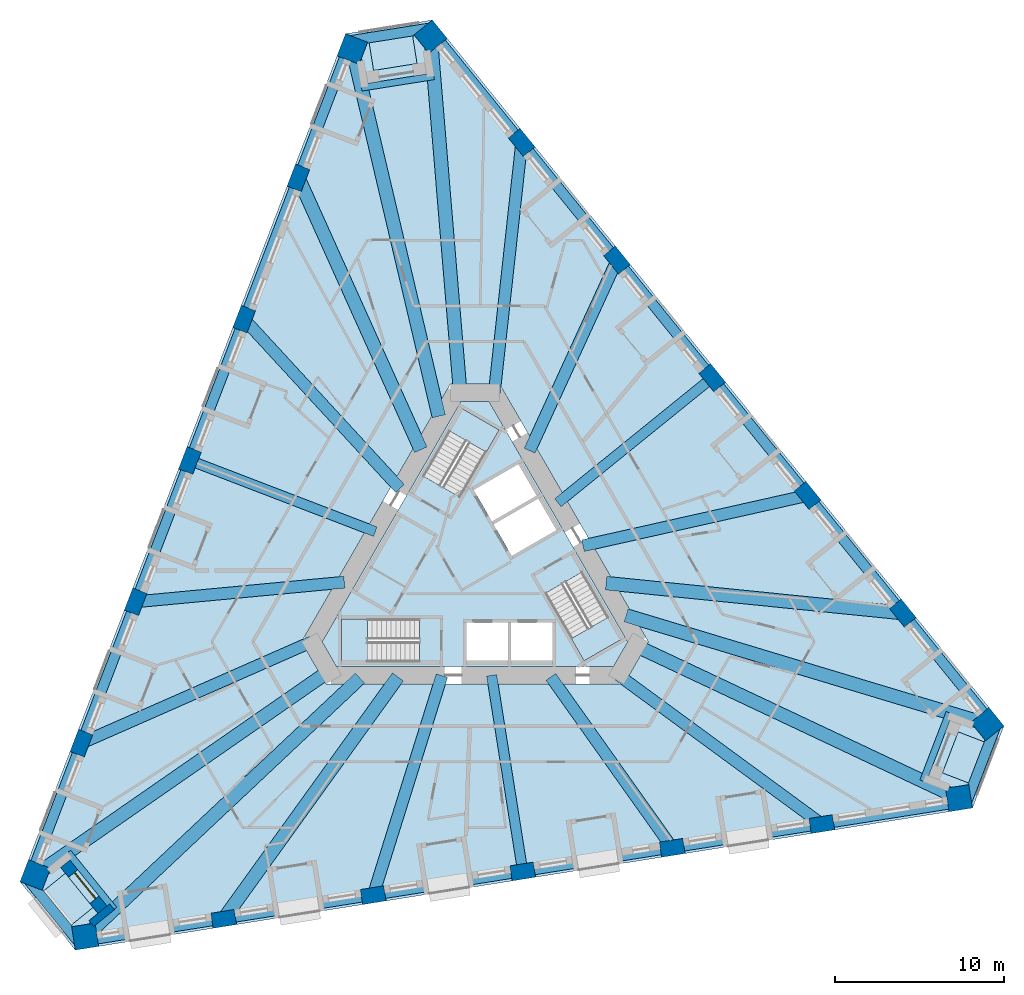
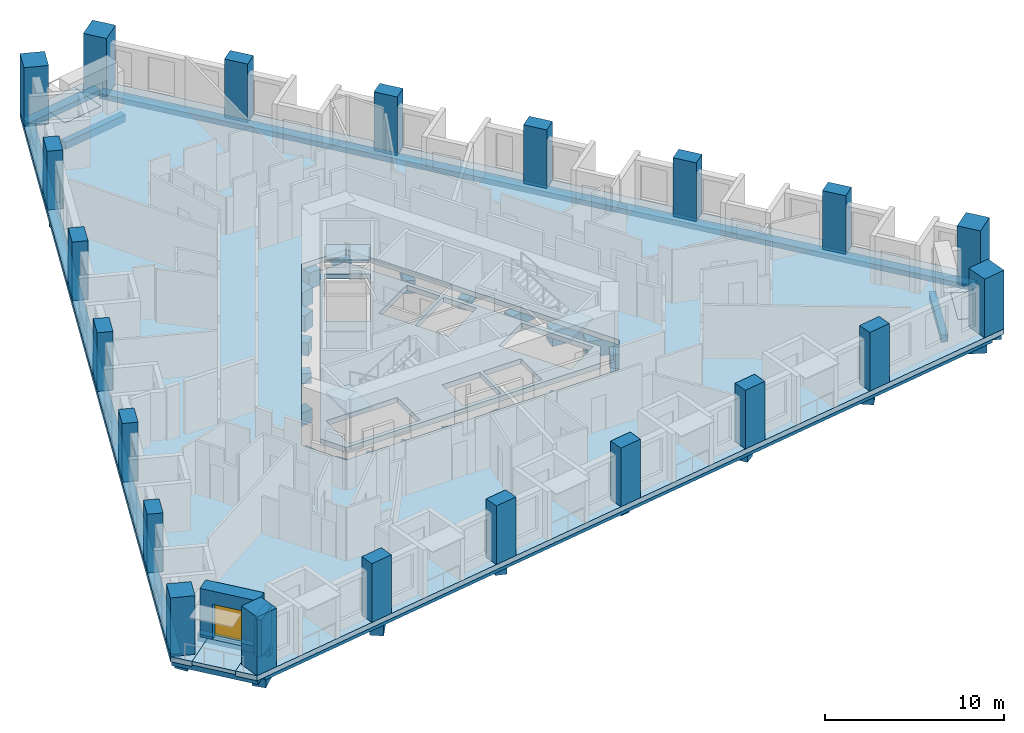
# One storey, part 1 of 14: 30 beams, 21 columns, 8 slabs, 2 walls, 1 door, 1 opening, 3 elements without a shape of their own.
"""IFC4 building model written with IfcOpenShell, lengths in metres."""

from ifc_helpers import new_model, si_unit, direction, frame, frame_2d, origin, origin_2d, place, context, subcontext, project, spatial, polyline, rectangle, outline, extrude, material, layer, layer_set, material_profile, profile_set, type_object, element, fill, aggregate, save


model = new_model("IFC4")

# Units and contexts
model_context = context("Model", 3, precision=1e-05, world=origin(), true_north=direction((0.0, 1.0)))
body_context = subcontext(model_context, "Body", "Model", "MODEL_VIEW")
ifc_project = project(units=[si_unit("LENGTHUNIT", "METRE"), si_unit("AREAUNIT", "SQUARE_METRE"), si_unit("VOLUMEUNIT", "CUBIC_METRE"), si_unit("PLANEANGLEUNIT", "RADIAN"), si_unit("MASSUNIT", "GRAM", prefix="KILO")], contexts=[model_context])

# Site, building, storey
site_placement = place(None, origin())
site = spatial("IfcSite", under=ifc_project, at=site_placement, CompositionType="ELEMENT")
building_placement = place(site_placement, origin())
building = spatial("IfcBuilding", under=site, at=building_placement, Name="Tramontana Tower", CompositionType="ELEMENT")
storey_placement = place(building_placement, frame((0.0, 0.0, 71.199951171875)))
storey = spatial("IfcBuildingStorey", under=building, at=storey_placement, Name="L15", CompositionType="ELEMENT", Elevation=71.199951171875)

# Columns
ifc_material_1 = material(Name="Concrete 70 MPa", Category="concrete")
ifc_material_profile_1 = material_profile(ifc_material_1, rectangle(XDim=1.39990234375, YDim=1.39990234375, at=origin_2d()), Name="Mega column 1400X1400 70 MPa")
ifc_profile_set_1 = profile_set([ifc_material_profile_1], Name="Concrete 70 MPa")
column_type_1 = type_object("IfcColumnType", Name="Mega column 1400X1400 70 MPa", PredefinedType="COLUMN", material=ifc_profile_set_1)
for number, where, z_axis, x_axis, name in (
    (1, (-7.24755859375, 30.7890625, 0.0), (0.0, 0.0, 1.0), (-0.358367949545, -0.933580426497, 0.0), "Mega column C1K1 L15"),
    (2, (-25.98779296875, -18.03125, 0.0), (0.0, 0.0, 1.0), (-0.358367949545, -0.933580426497, 0.0), "Mega column C1K2 L15"),
    (3, (-23.040283203125, -21.671142578125, 0.0), (0.0, 0.0, 1.0), (0.987688340595, 0.15643446504, 0.0), "Mega column C1K3 L15"),
    (4, (28.609375, -13.490478515625, 0.0), (0.0, 0.0, 1.0), (0.987688340595, 0.15643446504, 0.0), "Mega column C1K4 L15"),
    (5, (30.287841796875, -9.117919921875, 0.0), (0.0, 0.0, 1.0), (-0.62932039105, 0.777145961457, 0.0), "Mega column C1K5 L15"),
    (6, (-2.62158203125, 31.521728515625, 0.0), (0.0, 0.0, 1.0), (-0.62932039105, 0.777145961457, 0.0), "Mega column C1K6 L15"),
):
    element("IfcColumn", number, at=place(storey_placement, frame(where, z_axis=z_axis, x_axis=x_axis)), inside=storey, type_object=column_type_1, Name=name, PredefinedType="COLUMN", context=body_context, shape_type="SweptSolid", body=[
        extrude(rectangle(XDim=1.39990234375, YDim=1.39990234375, at=origin_2d()), origin(), (0.0, 0.0, 1.0), 4.0),
    ])
ifc_material_2 = material(Name="Concrete 55 MPa", Category="concrete")
ifc_material_profile_2 = material_profile(ifc_material_2, rectangle(XDim=1.39990234375, YDim=0.89990234375, at=origin_2d()), Name="Pier column 1400X900 55 MPa")
ifc_profile_set_2 = profile_set([ifc_material_profile_2], Name="Concrete 55 MPa")
column_type_2 = type_object("IfcColumnType", Name="Pier column 1400X900 55 MPa", PredefinedType="COLUMN", material=ifc_profile_set_2)
for number, where, z_axis, x_axis, name in (
    (7, (-10.43701171875, 23.177734375, 0.0), (0.0, 0.0, 1.0), (-0.358367949545, -0.933580426497, 0.0), "Pier column C1F01 L15"),
    (8, (-13.64404296875, 14.822998046875, 0.0), (0.0, 0.0, 1.0), (-0.358367949545, -0.933580426497, 0.0), "Pier column C1F02 L15"),
    (9, (-16.85107421875, 6.468505859375, 0.0), (0.0, 0.0, 1.0), (-0.358367949545, -0.933580426497, 0.0), "Pier column C1F03 L15"),
    (10, (-20.05810546875, -1.885986328125, 0.0), (0.0, 0.0, 1.0), (-0.358367949545, -0.933580426497, 0.0), "Pier column C1F04 L15"),
    (11, (-23.26513671875, -10.240478515625, 0.0), (0.0, 0.0, 1.0), (-0.358367949545, -0.933580426497, 0.0), "Pier column C1F05 L15"),
    (12, (-14.853759765625, -20.627685546875, 0.0), (0.0, 0.0, 1.0), (0.987688340595, 0.15643446504, 0.0), "Pier column C1F06 L15"),
    (13, (-6.01513671875, -19.227783203125, 0.0), (0.0, 0.0, 1.0), (0.987688340595, 0.15643446504, 0.0), "Pier column C1F07 L15"),
    (14, (2.82373046875, -17.827880859375, 0.0), (0.0, 0.0, 1.0), (0.987688340595, 0.15643446504, 0.0), "Pier column C1F08 L15"),
    (15, (11.662353515625, -16.427734375, 0.0), (0.0, 0.0, 1.0), (0.987688340595, 0.15643446504, 0.0), "Pier column C1F09 L15"),
    (16, (20.501220703125, -15.02783203125, 0.0), (0.0, 0.0, 1.0), (0.987688340595, 0.15643446504, 0.0), "Pier column C1F10 L15"),
    (17, (25.291015625, -2.550048828125, 0.0), (0.0, 0.0, 1.0), (-0.62932039105, 0.777145961457, 0.0), "Pier column C1F11 L15"),
    (18, (19.6591796875, 4.404541015625, 0.0), (0.0, 0.0, 1.0), (-0.62932039105, 0.777145961457, 0.0), "Pier column C1F12 L15"),
    (19, (14.027587890625, 11.359130859375, 0.0), (0.0, 0.0, 1.0), (-0.62932039105, 0.777145961457, 0.0), "Pier column C1F13 L15"),
    (20, (8.395751953125, 18.31396484375, 0.0), (0.0, 0.0, 1.0), (-0.62932039105, 0.777145961457, 0.0), "Pier column C1F14 L15"),
    (21, (2.763916015625, 25.2685546875, 0.0), (0.0, 0.0, 1.0), (-0.62932039105, 0.777145961457, 0.0), "Pier column C1F15 L15"),
):
    element("IfcColumn", number, at=place(storey_placement, frame(where, z_axis=z_axis, x_axis=x_axis)), inside=storey, type_object=column_type_2, Name=name, PredefinedType="COLUMN", context=body_context, shape_type="SweptSolid", body=[
        extrude(rectangle(XDim=1.39990234375, YDim=0.89990234375, at=origin_2d()), origin(), (0.0, 0.0, 1.0), 4.0),
    ])

# Beams
ifc_material_3 = material(Name="Concrete 40 MPa", Category="concrete")
ifc_material_profile_3 = material_profile(ifc_material_3, rectangle(XDim=0.60009765625, YDim=0.35009765625, at=origin_2d()), Name="RC EDGE BEAM 600X350 40 MPa")
ifc_profile_set_3 = profile_set([ifc_material_profile_3], Name="Concrete 40 MPa")
beam_type_1 = type_object("IfcBeamType", Name="RC EDGE BEAM 600X350 40 MPa", PredefinedType="SPANDREL", material=ifc_profile_set_3)
beam_1_placement = place(storey_placement, frame((-7.48095703125, 30.878662109375, -0.52490234375), z_axis=(-0.358365819965, -0.933581243964, 0.0), x_axis=(0.933581243964, -0.358365819965, 0.0)))
element("IfcBeam", 22, at=beam_1_placement, inside=storey, type_object=beam_type_1, Name="Spandrel beam S0 L15", PredefinedType="SPANDREL", context=body_context, shape_type="SweptSolid", body=[
    extrude(rectangle(XDim=0.60009765625, YDim=0.35009765625, at=origin_2d()), origin(), (0.0, 0.0, 1.0), 52.293701171875),
])
beam_2_placement = place(storey_placement, frame((-23.001220703125, -21.91796875, -0.52490234375), z_axis=(0.987688583718, 0.156432930012, 0.0), x_axis=(-0.156432930012, 0.987688583718, 0.0)))
element("IfcBeam", 23, at=beam_2_placement, inside=storey, type_object=beam_type_1, Name="Spandrel beam S1 L15", PredefinedType="SPANDREL", context=body_context, shape_type="SweptSolid", body=[
    extrude(rectangle(XDim=0.60009765625, YDim=0.35009765625, at=origin_2d()), origin(), (0.0, 0.0, 1.0), 52.29345703125),
])
beam_3_placement = place(storey_placement, frame((30.482177734375, -8.960693359375, -0.52490234375), z_axis=(-0.62931909415, 0.777147011664, 0.0), x_axis=(-0.777147011664, -0.62931909415, 0.0)))
element("IfcBeam", 24, at=beam_3_placement, inside=storey, type_object=beam_type_1, Name="Spandrel beam S2 L15", PredefinedType="SPANDREL", context=body_context, shape_type="SweptSolid", body=[
    extrude(rectangle(XDim=0.60009765625, YDim=0.35009765625, at=origin_2d()), origin(), (0.0, 0.0, 1.0), 52.293701171875),
])
beam_4_placement = place(storey_placement, frame((-2.447509765625, 32.061767578125, -0.52490234375), z_axis=(-0.987692388858, -0.156408903173, 0.0), x_axis=(0.156408903173, -0.987692388858, 0.0)))
element("IfcBeam", 25, at=beam_4_placement, inside=storey, type_object=beam_type_1, Name="Spandrel beam K0 L15", PredefinedType="SPANDREL", context=body_context, shape_type="SweptSolid", body=[
    extrude(rectangle(XDim=0.60009765625, YDim=0.35009765625, at=origin_2d()), origin(), (0.0, 0.0, 1.0), 5.1962890625),
])
for number, where, z_axis, x_axis, name in (
    (26, (-26.54248046875, -18.150634765625, -0.52490234375), (0.629325274503, -0.777142006889, 0.0), (0.777142006889, 0.629325274503, 0.0), "Spandrel beam K1 L15"),
    (27, (28.990234375, -13.9111328125, -0.52490234375), (0.358368174287, 0.933580340227, 0.0), (-0.933580340227, 0.358368174287, 0.0), "Spandrel beam K2 L15"),
):
    element("IfcBeam", number, at=place(storey_placement, frame(where, z_axis=z_axis, x_axis=x_axis)), inside=storey, type_object=beam_type_1, Name=name, PredefinedType="SPANDREL", context=body_context, shape_type="SweptSolid", body=[
        extrude(rectangle(XDim=0.60009765625, YDim=0.35009765625, at=origin_2d()), origin(), (0.0, 0.0, 1.0), 5.196044921875),
    ])
ifc_material_4 = material(Name="Concrete 40 MPa", Category="concrete")
ifc_material_profile_4 = material_profile(ifc_material_4, rectangle(XDim=0.60009765625, YDim=0.699951171875, at=origin_2d()), Name="RC GIRDER 600X700 40 MPa")
ifc_profile_set_4 = profile_set([ifc_material_profile_4], Name="Concrete 40 MPa")
beam_type_2 = type_object("IfcBeamType", Name="RC GIRDER 600X700 40 MPa", PredefinedType="BEAM", material=ifc_profile_set_4)
beam_5_placement = place(storey_placement, frame((-16.85107421875, 6.468505859375, -0.699951171875), z_axis=(0.933580146246, -0.358368679624, 0.0), x_axis=(0.358368679624, 0.933580146246, 0.0)))
element("IfcBeam", 28, at=beam_5_placement, inside=storey, type_object=beam_type_2, Name="Radial girder C1F03 L15", PredefinedType="BEAM", context=body_context, shape_type="SweptSolid", body=[
    extrude(rectangle(XDim=0.60009765625, YDim=0.699951171875, at=origin_2d()), origin(), (0.0, 0.0, 1.0), 11.74072265625),
])
for number, where, z_axis, x_axis, name in (
    (29, (2.823486328125, -17.827880859375, -0.699951171875), (-0.156412100064, 0.9876918826, 0.0), (-0.9876918826, -0.156412100064, 0.0), "Radial girder C1F08 L15"),
    (30, (14.027587890625, 11.359130859375, -0.699951171875), (-0.777154793409, -0.62930948434, 0.0), (0.62930948434, -0.777154793409, 0.0), "Radial girder C1F13 L15"),
):
    element("IfcBeam", number, at=place(storey_placement, frame(where, z_axis=z_axis, x_axis=x_axis)), inside=storey, type_object=beam_type_2, Name=name, PredefinedType="BEAM", context=body_context, shape_type="SweptSolid", body=[
        extrude(rectangle(XDim=0.60009765625, YDim=0.699951171875, at=origin_2d()), origin(), (0.0, 0.0, 1.0), 11.740966796875),
    ])
ifc_material_5 = material(Name="Concrete 40 MPa", Category="concrete")
ifc_material_profile_5 = material_profile(ifc_material_5, rectangle(XDim=0.699951171875, YDim=0.89990234375, at=origin_2d()), Name="RC GIRDER 700X900 40 MPa")
ifc_profile_set_5 = profile_set([ifc_material_profile_5], Name="Concrete 40 MPa")
beam_type_3 = type_object("IfcBeamType", Name="RC GIRDER 700X900 40 MPa", PredefinedType="BEAM", material=ifc_profile_set_5)
beam_6_placement = place(storey_placement, frame((-13.64404296875, 14.822998046875, -0.800048828125), z_axis=(0.677237750705, -0.735764248261, 0.0), x_axis=(0.735764248261, 0.677237750705, 0.0)))
element("IfcBeam", 31, at=beam_6_placement, inside=storey, type_object=beam_type_3, Name="Radial girder C1F02 L15", PredefinedType="BEAM", context=body_context, shape_type="SweptSolid", body=[
    extrude(rectangle(XDim=0.699951171875, YDim=0.89990234375, at=origin_2d()), origin(), (0.0, 0.0, 1.0), 13.598876953125),
])
beam_7_placement = place(storey_placement, frame((-20.05810546875, -1.885986328125, -0.800048828125), z_axis=(0.995608960431, 0.093609817375, 0.0), x_axis=(-0.093609817375, 0.995608960431, 0.0)))
element("IfcBeam", 32, at=beam_7_placement, inside=storey, type_object=beam_type_3, Name="Radial girder C1F04 L15", PredefinedType="BEAM", context=body_context, shape_type="SweptSolid", body=[
    extrude(rectangle(XDim=0.699951171875, YDim=0.89990234375, at=origin_2d()), origin(), (0.0, 0.0, 1.0), 12.3935546875),
])
beam_8_placement = place(storey_placement, frame((-23.26513671875, -10.240478515625, -0.800048828125), z_axis=(0.915262520168, 0.402857939199, 0.0), x_axis=(-0.402857939199, 0.915262520168, 0.0)))
element("IfcBeam", 33, at=beam_8_placement, inside=storey, type_object=beam_type_3, Name="Radial girder C1F05 L15", PredefinedType="BEAM", context=body_context, shape_type="SweptSolid", body=[
    extrude(rectangle(XDim=0.699951171875, YDim=0.89990234375, at=origin_2d()), origin(), (0.0, 0.0, 1.0), 14.87841796875),
])
beam_9_placement = place(storey_placement, frame((-6.01513671875, -19.227783203125, -0.800048828125), z_axis=(0.298567329493, 0.954388573779, 0.0), x_axis=(-0.954388573779, 0.298567329493, 0.0)))
element("IfcBeam", 34, at=beam_9_placement, inside=storey, type_object=beam_type_3, Name="Radial girder C1F07 L15", PredefinedType="BEAM", context=body_context, shape_type="SweptSolid", body=[
    extrude(rectangle(XDim=0.699951171875, YDim=0.89990234375, at=origin_2d()), origin(), (0.0, 0.0, 1.0), 13.599365234375),
])
beam_10_placement = place(storey_placement, frame((11.662353515625, -16.427978515625, -0.800048828125), z_axis=(-0.578872935906, 0.815417760461, 0.0), x_axis=(-0.815417760461, -0.578872935906, 0.0)))
element("IfcBeam", 35, at=beam_10_placement, inside=storey, type_object=beam_type_3, Name="Radial girder C1F09 L15", PredefinedType="BEAM", context=body_context, shape_type="SweptSolid", body=[
    extrude(rectangle(XDim=0.699951171875, YDim=0.89990234375, at=origin_2d()), origin(), (0.0, 0.0, 1.0), 12.3935546875),
])
beam_11_placement = place(storey_placement, frame((20.501220703125, -15.02783203125, -0.800048828125), z_axis=(-0.806528613825, 0.591195056712, 0.0), x_axis=(-0.591195056712, -0.806528613825, 0.0)))
element("IfcBeam", 36, at=beam_11_placement, inside=storey, type_object=beam_type_3, Name="Radial girder C1F10 L15", PredefinedType="BEAM", context=body_context, shape_type="SweptSolid", body=[
    extrude(rectangle(XDim=0.699951171875, YDim=0.89990234375, at=origin_2d()), origin(), (0.0, 0.0, 1.0), 14.878662109375),
])
beam_12_placement = place(storey_placement, frame((19.6591796875, 4.404541015625, -0.800048828125), z_axis=(-0.975807938002, -0.218629522556, 0.0), x_axis=(0.218629522556, -0.975807938002, 0.0)))
element("IfcBeam", 37, at=beam_12_placement, inside=storey, type_object=beam_type_3, Name="Radial girder C1F12 L15", PredefinedType="BEAM", context=body_context, shape_type="SweptSolid", body=[
    extrude(rectangle(XDim=0.699951171875, YDim=0.89990234375, at=origin_2d()), origin(), (0.0, 0.0, 1.0), 13.59912109375),
])
beam_13_placement = place(storey_placement, frame((8.395751953125, 18.31396484375, -0.800048828125), z_axis=(-0.416724572993, -0.909032799333, 0.0), x_axis=(0.909032799333, -0.416724572993, 0.0)))
element("IfcBeam", 38, at=beam_13_placement, inside=storey, type_object=beam_type_3, Name="Radial girder C1F14 L15", PredefinedType="BEAM", context=body_context, shape_type="SweptSolid", body=[
    extrude(rectangle(XDim=0.699951171875, YDim=0.89990234375, at=origin_2d()), origin(), (0.0, 0.0, 1.0), 12.393798828125),
])
beam_14_placement = place(storey_placement, frame((2.763916015625, 25.2685546875, -0.800048828125), z_axis=(-0.108724057734, -0.994071968858, 0.0), x_axis=(0.994071968858, -0.108724057734, 0.0)))
element("IfcBeam", 39, at=beam_14_placement, inside=storey, type_object=beam_type_3, Name="Radial girder C1F15 L15", PredefinedType="BEAM", context=body_context, shape_type="SweptSolid", body=[
    extrude(rectangle(XDim=0.699951171875, YDim=0.89990234375, at=origin_2d()), origin(), (0.0, 0.0, 1.0), 14.878662109375),
])
ifc_material_6 = material(Name="Concrete 40 MPa", Category="concrete")
ifc_material_profile_6 = material_profile(ifc_material_6, rectangle(XDim=0.800048828125, YDim=1.10009765625, at=origin_2d()), Name="RC GIRDER 800X1100 40 MPa")
ifc_profile_set_6 = profile_set([ifc_material_profile_6], Name="Concrete 40 MPa")
beam_type_4 = type_object("IfcBeamType", Name="RC GIRDER 800X1100 40 MPa", PredefinedType="BEAM", material=ifc_profile_set_6)
beam_15_placement = place(storey_placement, frame((-7.24755859375, 30.7890625, -0.89990234375), z_axis=(0.229129631405, -0.973395917401, 0.0), x_axis=(0.973395917401, 0.229129631405, 0.0)))
element("IfcBeam", 40, at=beam_15_placement, inside=storey, type_object=beam_type_4, Name="Radial girder C1K1 L15", PredefinedType="BEAM", context=body_context, shape_type="SweptSolid", body=[
    extrude(rectangle(XDim=0.800048828125, YDim=1.10009765625, at=origin_2d()), origin(), (0.0, 0.0, 1.0), 22.30322265625),
])
beam_16_placement = place(storey_placement, frame((-10.43701171875, 23.177490234375, -0.89990234375), z_axis=(0.410600793892, -0.91181521596, 0.0), x_axis=(0.91181521596, 0.410600793892, 0.0)))
element("IfcBeam", 41, at=beam_16_placement, inside=storey, type_object=beam_type_4, Name="Radial girder C1F01 L15", PredefinedType="BEAM", context=body_context, shape_type="SweptSolid", body=[
    extrude(rectangle(XDim=0.800048828125, YDim=1.10009765625, at=origin_2d()), origin(), (0.0, 0.0, 1.0), 17.626220703125),
])
beam_17_placement = place(storey_placement, frame((-25.98779296875, -18.03125, -0.89990234375), z_axis=(0.821603252741, 0.570059729402, 0.0), x_axis=(-0.570059729402, 0.821603252741, 0.0)))
element("IfcBeam", 42, at=beam_17_placement, inside=storey, type_object=beam_type_4, Name="Radial girder C1K2 L15", PredefinedType="BEAM", context=body_context, shape_type="SweptSolid", body=[
    extrude(rectangle(XDim=0.800048828125, YDim=1.10009765625, at=origin_2d()), origin(), (0.0, 0.0, 1.0), 21.11767578125),
])
beam_18_placement = place(storey_placement, frame((-23.040283203125, -21.671142578125, -0.89990234375), z_axis=(0.728416554247, 0.685134529489, 0.0), x_axis=(-0.685134529489, 0.728416554247, 0.0)))
element("IfcBeam", 43, at=beam_18_placement, inside=storey, type_object=beam_type_4, Name="Radial girder C1K3 L15", PredefinedType="BEAM", context=body_context, shape_type="SweptSolid", body=[
    extrude(rectangle(XDim=0.800048828125, YDim=1.10009765625, at=origin_2d()), origin(), (0.0, 0.0, 1.0), 22.30322265625),
])
beam_19_placement = place(storey_placement, frame((-14.85400390625, -20.627685546875, -0.89990234375), z_axis=(0.584356173005, 0.81149729702, 0.0), x_axis=(-0.81149729702, 0.584356173005, 0.0)))
element("IfcBeam", 44, at=beam_19_placement, inside=storey, type_object=beam_type_4, Name="Radial girder C1F06 L15", PredefinedType="BEAM", context=body_context, shape_type="SweptSolid", body=[
    extrude(rectangle(XDim=0.800048828125, YDim=1.10009765625, at=origin_2d()), origin(), (0.0, 0.0, 1.0), 17.626220703125),
])
beam_20_placement = place(storey_placement, frame((28.609375, -13.490478515625, -0.89990234375), z_axis=(-0.904488564757, 0.426497873645, 0.0), x_axis=(-0.426497873645, -0.904488564757, 0.0)))
element("IfcBeam", 45, at=beam_20_placement, inside=storey, type_object=beam_type_4, Name="Radial girder C1K4 L15", PredefinedType="BEAM", context=body_context, shape_type="SweptSolid", body=[
    extrude(rectangle(XDim=0.800048828125, YDim=1.10009765625, at=origin_2d()), origin(), (0.0, 0.0, 1.0), 21.11767578125),
])
beam_21_placement = place(storey_placement, frame((30.287841796875, -9.117919921875, -0.89990234375), z_axis=(-0.957551991149, 0.288260618619, 0.0), x_axis=(-0.288260618619, -0.957551991149, 0.0)))
element("IfcBeam", 46, at=beam_21_placement, inside=storey, type_object=beam_type_4, Name="Radial girder C1K5 L15", PredefinedType="BEAM", context=body_context, shape_type="SweptSolid", body=[
    extrude(rectangle(XDim=0.800048828125, YDim=1.10009765625, at=origin_2d()), origin(), (0.0, 0.0, 1.0), 22.303466796875),
])
beam_22_placement = place(storey_placement, frame((25.291015625, -2.550048828125, -0.89990234375), z_axis=(-0.99495498196, 0.100322399654, 0.0), x_axis=(-0.100322399654, -0.99495498196, 0.0)))
element("IfcBeam", 47, at=beam_22_placement, inside=storey, type_object=beam_type_4, Name="Radial girder C1F11 L15", PredefinedType="BEAM", context=body_context, shape_type="SweptSolid", body=[
    extrude(rectangle(XDim=0.800048828125, YDim=1.10009765625, at=origin_2d()), origin(), (0.0, 0.0, 1.0), 17.626220703125),
])
beam_23_placement = place(storey_placement, frame((-2.62158203125, 31.521728515625, -0.89990234375), z_axis=(0.082880913658, -0.996559458412, 0.0), x_axis=(0.996559458412, 0.082880913658, 0.0)))
element("IfcBeam", 48, at=beam_23_placement, inside=storey, type_object=beam_type_4, Name="Radial girder C1K6 L15", PredefinedType="BEAM", context=body_context, shape_type="SweptSolid", body=[
    extrude(rectangle(XDim=0.800048828125, YDim=1.10009765625, at=origin_2d()), origin(), (0.0, 0.0, 1.0), 21.11767578125),
])
ifc_material_7 = material(Name="Concrete 40 MPa", Category="concrete")
ifc_material_profile_7 = material_profile(ifc_material_7, rectangle(XDim=0.39990234375, YDim=0.5, at=origin_2d()), Name="RC TRIM BEAM 400X500 40 MPa")
ifc_profile_set_7 = profile_set([ifc_material_profile_7], Name="Concrete 40 MPa")
beam_type_5 = type_object("IfcBeamType", Name="RC TRIM BEAM 400X500 40 MPa", PredefinedType="JOIST", material=ifc_profile_set_7)
for number, where, z_axis, x_axis, name in (
    (49, (-2.4267578125, 29.1796875, -0.599853515625), (-0.987688889444, -0.156430999708, 0.0), (0.156430999708, -0.987688889444, 0.0), "Trimmer beam K0 L15"),
    (50, (-24.056884765625, -16.69140625, -0.599853515625), (0.629326191545, -0.777141264273, 0.0), (0.777141264273, 0.629326191545, 0.0), "Trimmer beam K1 L15"),
    (51, (26.483642578125, -12.48828125, -0.599853515625), (0.358345094406, 0.933589199442, 0.0), (-0.933589199442, 0.358345094406, 0.0), "Trimmer beam K2 L15"),
):
    element("IfcBeam", number, at=place(storey_placement, frame(where, z_axis=z_axis, x_axis=x_axis)), inside=storey, type_object=beam_type_5, Name=name, PredefinedType="JOIST", context=body_context, shape_type="SweptSolid", body=[
        extrude(rectangle(XDim=0.39990234375, YDim=0.5, at=origin_2d()), origin(), (0.0, 0.0, 1.0), 4.335693359375),
    ])

# Slabs
ifc_material_8 = material(Name="Precast concrete 50 MPa", Category="concrete")
ifc_layer_1 = layer(ifc_material_8, 0.25)
ifc_layer_set_1 = layer_set([ifc_layer_1], Name="LT1 Loggia floor tray 250")
slab_type_1 = type_object("IfcSlabType", Name="LT1 Loggia floor tray 250", PredefinedType="FLOOR", material=ifc_layer_set_1)
slab_1_placement = place(storey_placement, frame((0.0, 0.0, -0.25)))
element("IfcSlab", 52, at=slab_1_placement, inside=storey, type_object=slab_type_1, Name="Corner loggia floor L15 K10", PredefinedType="FLOOR", context=body_context, shape_type="SweptSolid", body=[
    extrude(outline(polyline([(-3.800048828125, 32.30322265625), (-3.424560546875, 29.932861328125), (-5.99267578125, 29.526123046875), (-6.3681640625, 31.896484375), (-3.800048828125, 32.30322265625)])), origin(), (0.0, 0.0, 1.0), 0.25),
])
slab_2_placement = place(storey_placement, frame((0.0, 0.0, -0.25)))
element("IfcSlab", 53, at=slab_2_placement, inside=storey, type_object=slab_type_1, Name="Corner loggia floor L15 K11", PredefinedType="FLOOR", context=body_context, shape_type="SweptSolid", body=[
    extrude(outline(polyline([(-26.075439453125, -19.442626953125), (-24.210205078125, -17.932373046875), (-22.573974609375, -19.952880859375), (-24.439208984375, -21.463134765625), (-26.075439453125, -19.442626953125)])), origin(), (0.0, 0.0, 1.0), 0.25),
])
slab_3_placement = place(storey_placement, frame((0.0, 0.0, -0.25)))
element("IfcSlab", 54, at=slab_3_placement, inside=storey, type_object=slab_type_1, Name="Corner loggia floor L15 K12", PredefinedType="FLOOR", context=body_context, shape_type="SweptSolid", body=[
    extrude(outline(polyline([(29.87548828125, -12.860595703125), (27.635009765625, -12.00048828125), (28.566650390625, -9.5732421875), (30.80712890625, -10.433349609375), (29.87548828125, -12.860595703125)])), origin(), (0.0, 0.0, 1.0), 0.25),
])
ifc_material_9 = material(Name="Concrete 40 MPa", Category="concrete")
ifc_layer_2 = layer(ifc_material_9, 0.35009765625)
ifc_layer_set_2 = layer_set([ifc_layer_2], Name="PT FLAT SLAB 350 40 MPa")
slab_type_2 = type_object("IfcSlabType", Name="PT FLAT SLAB 350 40 MPa", PredefinedType="FLOOR", material=ifc_layer_set_2)
slab_4_placement = place(storey_placement, frame((0.0, 0.0, -0.349853515625)))
element("IfcSlab", 55, at=slab_4_placement, inside=storey, type_object=slab_type_2, Name="Floor slab L15", PredefinedType="FLOOR", context=body_context, shape_type="SweptSolid", body=[
    extrude(outline(polyline([(30.80712890625, -10.433349609375), (28.566650390625, -9.5732421875), (27.635009765625, -12.00048828125), (29.87548828125, -12.860595703125), (29.410400390625, -14.072509765625), (-23.622314453125, -22.471923828125), (-24.439208984375, -21.463134765625), (-22.573974609375, -19.952880859375), (-24.210205078125, -17.932373046875), (-26.075439453125, -19.442626953125), (-26.892333984375, -18.433837890625), (-7.650146484375, 31.693359375), (-6.3681640625, 31.896484375), (-5.99267578125, 29.526123046875), (-3.4248046875, 29.932861328125), (-3.800048828125, 32.30322265625), (-2.51806640625, 32.50634765625), (31.2724609375, -9.221435546875), (30.80712890625, -10.433349609375)]), holes=[polyline([(-10.248046875, -4.25), (-8.8046875, -6.75), (8.8046875, -6.75), (10.248046875, -4.25), (1.443359375, 11.0), (-1.443359375, 11.0), (-10.248046875, -4.25)])]), origin(), (0.0, 0.0, 1.0), 0.349853515625),
])
slab_5_placement = place(storey_placement, frame((0.0, 0.0, -0.349853515625)))
element("IfcSlab", 56, at=slab_5_placement, inside=storey, type_object=slab_type_2, Name="Core floor slab L15", PredefinedType="FLOOR", context=body_context, shape_type="SweptSolid", body=[
    extrude(outline(polyline([(9.035400390625, -4.25), (8.198486328125, -5.699951171875), (-8.198486328125, -5.699951171875), (-9.035400390625, -4.25), (-0.837158203125, 9.949951171875), (0.837158203125, 9.949951171875), (9.035400390625, -4.25)]), holes=[polyline([(8.659912109375, -4.099365234375), (6.35986328125, -0.115478515625), (4.151611328125, -1.390625), (6.451416015625, -5.374267578125), (8.659912109375, -4.099365234375)]), polyline([(3.829833984375, 4.2666015625), (1.101806640625, 2.69140625), (2.177001953125, 0.82958984375), (4.90478515625, 2.404541015625), (3.829833984375, 4.2666015625)]), polyline([(4.590087890625, -3.10009765625), (2.139892578125, -3.10009765625), (2.139892578125, -5.449951171875), (4.590087890625, -5.449951171875), (4.590087890625, -3.10009765625)]), polyline([(2.65478515625, 6.3017578125), (-0.072998046875, 4.726806640625), (1.001953125, 2.86474609375), (3.729736328125, 4.439697265625), (2.65478515625, 6.3017578125)]), polyline([(1.93994140625, -5.449951171875), (1.93994140625, -3.10009765625), (-0.510009765625, -3.10009765625), (-0.510009765625, -5.449951171875), (1.93994140625, -5.449951171875)]), polyline([(-0.77978515625, 9.54931640625), (-3.079833984375, 5.565673828125), (-0.87158203125, 4.29052734375), (1.428466796875, 8.2744140625), (-0.77978515625, 9.54931640625)]), polyline([(-7.8798828125, -5.449951171875), (-3.280029296875, -5.449951171875), (-3.280029296875, -2.89990234375), (-7.8798828125, -2.89990234375), (-7.8798828125, -5.449951171875)])]), origin(), (0.0, 0.0, 1.0), 0.349853515625),
])

# Stair, slab
ifc_material_10 = material(Name="Concrete 40 MPa", Category="concrete")
stair_type = type_object("IfcStairType", Name="EXIT STAIR 24 RISERS", PredefinedType="HALF_TURN_STAIR", material=ifc_material_10)
stair_1_placement = place(storey_placement, origin())
stair_1 = element("IfcStair", 57, at=stair_1_placement, inside=storey, type_object=stair_type, Name="L15 Exit stair ST1", PredefinedType="HALF_TURN_STAIR")
ifc_material_11 = material(Name="Concrete 40 MPa", Category="concrete")
ifc_layer_3 = layer(ifc_material_11, 0.199951171875)
ifc_layer_set_3 = layer_set([ifc_layer_3], Name="STAIR LANDING 200")
slab_type_3 = type_object("IfcSlabType", Name="STAIR LANDING 200", PredefinedType="LANDING", material=ifc_layer_set_3)
slab_6_placement = place(storey_placement, frame((0.0, 0.0, 1.800048828125)))
slab_6 = element("IfcSlab", 58, at=slab_6_placement, type_object=slab_type_3, Name="ST1 landing 1", PredefinedType="LANDING", context=body_context, shape_type="SweptSolid", body=[
    extrude(outline(polyline([(0.66845703125, 6.9580078125), (1.428466796875, 8.274169921875), (-0.77978515625, 9.54931640625), (-1.539794921875, 8.23291015625), (0.66845703125, 6.9580078125)])), origin(), (0.0, 0.0, 1.0), 0.199951171875),
])
aggregate(stair_1, [slab_6])

stair_2_placement = place(storey_placement, origin())
stair_2 = element("IfcStair", 59, at=stair_2_placement, inside=storey, type_object=stair_type, Name="L15 Exit stair ST2", PredefinedType="HALF_TURN_STAIR")
slab_7_placement = place(storey_placement, frame((0.0, 0.0, 1.800048828125)))
slab_7 = element("IfcSlab", 60, at=slab_7_placement, type_object=slab_type_3, Name="ST2 landing 1", PredefinedType="LANDING", context=body_context, shape_type="SweptSolid", body=[
    extrude(outline(polyline([(-6.360107421875, -2.89990234375), (-7.8798828125, -2.89990234375), (-7.8798828125, -5.449951171875), (-6.360107421875, -5.449951171875), (-6.360107421875, -2.89990234375)])), origin(), (0.0, 0.0, 1.0), 0.199951171875),
])
aggregate(stair_2, [slab_7])

stair_3_placement = place(storey_placement, origin())
stair_3 = element("IfcStair", 61, at=stair_3_placement, inside=storey, type_object=stair_type, Name="L15 Exit stair ST3", PredefinedType="HALF_TURN_STAIR")
slab_8_placement = place(storey_placement, frame((0.0, 0.0, 1.800048828125)))
slab_8 = element("IfcSlab", 62, at=slab_8_placement, type_object=slab_type_3, Name="ST3 landing 1", PredefinedType="LANDING", context=body_context, shape_type="SweptSolid", body=[
    extrude(outline(polyline([(5.69140625, -4.057861328125), (6.451416015625, -5.374267578125), (8.659912109375, -4.099365234375), (7.89990234375, -2.782958984375), (5.69140625, -4.057861328125)])), origin(), (0.0, 0.0, 1.0), 0.199951171875),
])
aggregate(stair_3, [slab_8])

# Wall
ifc_material_12 = material(Name="Precast concrete 60 MPa", Category="concrete")
ifc_layer_4 = layer(ifc_material_12, 0.449951171875)
ifc_layer_set_4 = layer_set([ifc_layer_4], Name="Precast concrete 60 MPa, 450 mm")
wall_type_1 = type_object("IfcWallType", Name="EW1 Stone-faced precast wall 450", PredefinedType="SOLIDWALL", material=ifc_layer_set_4)
wall_1_placement = place(storey_placement, frame((-22.677001953125, -20.90478515625, 0.0), z_axis=(0.0, 0.0, 1.0), x_axis=(0.777205264571, 0.629247150747, 0.0)))
element("IfcWall", 63, at=wall_1_placement, inside=storey, type_object=wall_type_1, Name="Corner loggia side wall L15 K11l", PredefinedType="SOLIDWALL", context=body_context, shape_type="SweptSolid", body=[
    extrude(rectangle(XDim=1.5791015625, YDim=0.449951171875, at=frame_2d((0.78955078125, 0.0))), origin(), (0.0, 0.0, 1.0), 2.550048828125),
])

# Wall, opening, door
ifc_material_13 = material(Name="Precast concrete 60 MPa", Category="concrete")
ifc_layer_5 = layer(ifc_material_13, 0.89990234375)
ifc_layer_set_5 = layer_set([ifc_layer_5], Name="EW2 Stone-faced corner loggia wall 900")
wall_type_2 = type_object("IfcWallType", Name="EW2 Stone-faced corner loggia wall 900", PredefinedType="SOLIDWALL", material=ifc_layer_set_5)
wall_2_placement = place(storey_placement, frame((-21.941162109375, -20.019287109375, 0.0), z_axis=(0.0, 0.0, 1.0), x_axis=(-0.629328651904, 0.777139271876, 0.0)))
wall_2 = element("IfcWall", 64, at=wall_2_placement, inside=storey, type_object=wall_type_2, Name="Corner loggia wall L15 K11", PredefinedType="SOLIDWALL", context=body_context, shape_type="SweptSolid", body=[
    extrude(rectangle(XDim=3.5, YDim=0.89990234375, at=frame_2d((1.75, 0.0))), origin(), (0.0, 0.0, 1.0), 3.300048828125),
])
opening_placement = place(wall_2_placement, frame((0.75, 0.0, 0.0)))
opening = element("IfcOpeningElement", 65, at=opening_placement, cuts=wall_2, Name="Opening BD-11C", PredefinedType="OPENING", context=body_context, shape_type="SweptSolid", body=[
    extrude(rectangle(XDim=2.0, YDim=2.39990234375, at=frame_2d((1.0, 1.199951171875))), frame((0.0, 0.4599609375, 0.0), z_axis=(0.0, -1.0, 0.0), x_axis=(1.0, 0.0, 0.0)), (0.0, 0.0, 1.0), 0.919921875),
])
ifc_material_14 = material(Name="Aluminum frame, double glazing unit", Category="aluminium")
door_type = type_object("IfcDoorType", Name="BC1 Sliding door 2 x 2.4", OperationType="SLIDING_TO_LEFT", PredefinedType="DOOR", material=ifc_material_14)
door_placement = place(opening_placement, origin())
door = element("IfcDoor", 66, at=door_placement, inside=storey, type_object=door_type, Name="Corner loggia door L15 K11", OperationType="SLIDING_TO_LEFT", OverallHeight=2.39990234375, OverallWidth=2.0, PredefinedType="DOOR", context=body_context, shape_type="SweptSolid", body=[
    extrude(rectangle(XDim=2.0, YDim=2.39990234375, at=frame_2d((1.0, 1.199951171875))), frame((0.0, 0.02490234375, 0.0), z_axis=(0.0, -1.0, 0.0), x_axis=(1.0, 0.0, 0.0)), (0.0, 0.0, 1.0), 0.050048828125),
])
fill(opening, door)

save(model, "model.ifc")
